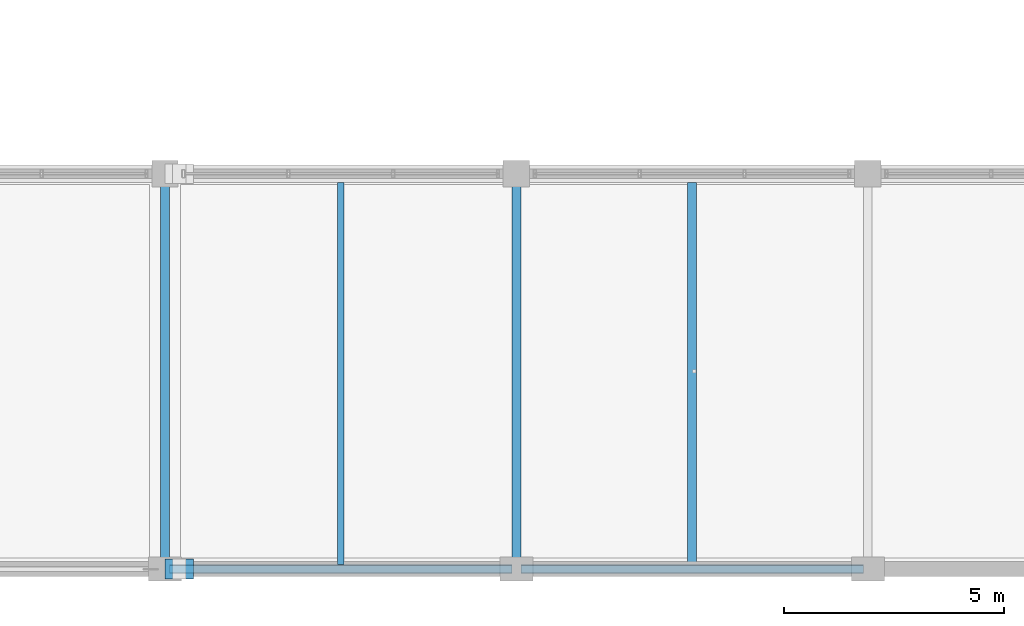
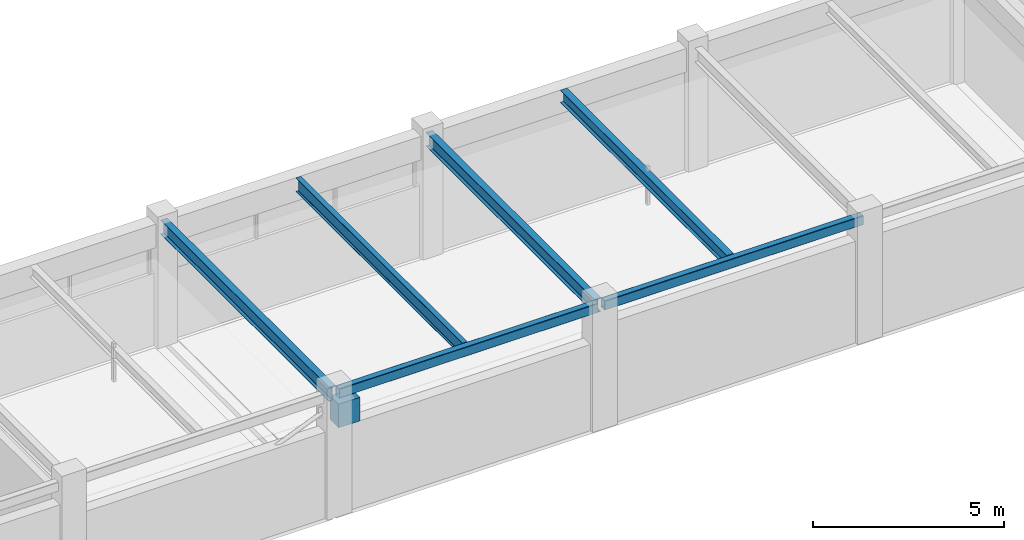
# One storey, part 19 of 126: 7 beams.
"""IFC4 building model written with IfcOpenShell, lengths in metres."""

from ifc_helpers import new_model, si_unit, direction, frame, origin, origin_2d, place, context, subcontext, project, spatial, rectangle, hollow_rectangle, i_section, extrude, material, material_profile, profile_set, type_object, element, save


model = new_model("IFC4")

# Units and contexts
model_context = context("Model", 3, precision=1e-05, world=origin(), true_north=direction((0.0, 1.0)))
body_context = subcontext(model_context, "Body", "Model", "MODEL_VIEW")
ifc_project = project(units=[si_unit("LENGTHUNIT", "METRE"), si_unit("AREAUNIT", "SQUARE_METRE"), si_unit("VOLUMEUNIT", "CUBIC_METRE"), si_unit("PLANEANGLEUNIT", "RADIAN"), si_unit("MASSUNIT", "GRAM", prefix="KILO")], contexts=[model_context])

# Site, building, storey
site_placement = place(None, origin())
site = spatial("IfcSite", under=ifc_project, at=site_placement, CompositionType="ELEMENT")
building_placement = place(site_placement, origin())
building = spatial("IfcBuilding", under=site, at=building_placement, Name="Varnabhumi Central Station", CompositionType="ELEMENT")
storey_placement = place(building_placement, frame((0.0, 0.0, 16.199951171875)))
storey = spatial("IfcBuildingStorey", under=building, at=storey_placement, Name="L03", CompositionType="ELEMENT", Elevation=16.199951171875)

# Beams
ifc_material_1 = material(Name="Structural steel E350", Category="steel")
ifc_material_profile_1 = material_profile(ifc_material_1, hollow_rectangle(XDim=0.199951171875, YDim=0.300048828125, WallThickness=0.011962890625, InnerFilletRadius=0.011962890625, OuterFilletRadius=0.02392578125, at=origin_2d()), Name="Structural steel E350", Category="steel")
ifc_profile_set_1 = profile_set([ifc_material_profile_1], Name="Structural steel E350")
beam_type_1 = type_object("IfcBeamType", Name="BM-EDGE-RHS300", PredefinedType="SPANDREL", material=ifc_profile_set_1)
for number, where, z_axis, x_axis, name in (
    (1, (120.10009765625, 0.0, 3.77001953125), (1.0, 0.0, 0.0), (0.0, 1.0, 0.0), "Beam L03-A:16-17"),
    (2, (128.10009765625, 0.0, 3.77001953125), (1.0, 0.0, 0.0), (0.0, 1.0, 0.0), "Beam L03-A:17-18"),
):
    element("IfcBeam", number, at=place(storey_placement, frame(where, z_axis=z_axis, x_axis=x_axis)), inside=storey, type_object=beam_type_1, Name=name, PredefinedType="SPANDREL", context=body_context, shape_type="SweptSolid", body=[
        extrude(hollow_rectangle(XDim=0.199951171875, YDim=0.300048828125, WallThickness=0.011962890625, InnerFilletRadius=0.011962890625, OuterFilletRadius=0.02392578125, at=origin_2d()), origin(), (0.0, 0.0, 1.0), 7.7998046875),
    ])
ifc_material_profile_2 = material_profile(ifc_material_1, i_section(OverallWidth=0.14990234375, OverallDepth=0.449951171875, WebThickness=0.009521484375, FlangeThickness=0.017333984375, FilletRadius=0.014892578125, at=origin_2d()), Name="Structural steel E350", Category="steel")
ifc_profile_set_2 = profile_set([ifc_material_profile_2], Name="Structural steel E350")
beam_type_2 = type_object("IfcBeamType", Name="BM-JST-ISMB450", PredefinedType="JOIST", material=ifc_profile_set_2)
beam_1_placement = place(storey_placement, frame((124.0, 0.10009765625, 3.695068359375), z_axis=(0.0, 1.0, 0.0), x_axis=(-1.0, 0.0, 0.0)))
element("IfcBeam", 3, at=beam_1_placement, inside=storey, type_object=beam_type_2, Name="Secondary Joist L03-16/17:A-B", PredefinedType="JOIST", context=body_context, shape_type="SweptSolid", body=[
    extrude(i_section(OverallWidth=0.14990234375, OverallDepth=0.449951171875, WebThickness=0.009521484375, FlangeThickness=0.017333984375, FilletRadius=0.014892578125, at=origin_2d()), origin(), (0.0, 0.0, 1.0), 8.699951171875),
])
ifc_material_2 = material(Name="Concrete M40", Category="concrete")
ifc_material_profile_3 = material_profile(ifc_material_2, rectangle(XDim=0.449951171875, YDim=0.75, at=origin_2d()), Name="Concrete M40", Category="concrete")
ifc_profile_set_3 = profile_set([ifc_material_profile_3], Name="Concrete M40")
beam_type_3 = type_object("IfcBeamType", Name="BM-RC-450x750", PredefinedType="BEAM", material=ifc_profile_set_3)
beam_2_placement = place(storey_placement, frame((120.0, 0.0, 3.1650390625), z_axis=(1.0, 0.0, 0.0), x_axis=(0.0, 1.0, 0.0)))
element("IfcBeam", 4, at=beam_2_placement, inside=storey, type_object=beam_type_3, Name="Movement Joint 650mm Corbel Seat L03-A-16", PredefinedType="BEAM", context=body_context, shape_type="SweptSolid", body=[
    extrude(rectangle(XDim=0.449951171875, YDim=0.75, at=origin_2d()), origin(), (0.0, 0.0, 1.0), 0.64990234375),
])
ifc_material_profile_4 = material_profile(ifc_material_1, i_section(OverallWidth=0.199951171875, OverallDepth=0.39990234375, WebThickness=0.008544921875, FlangeThickness=0.012939453125, FilletRadius=0.012939453125, at=origin_2d()), Name="Structural steel E350", Category="steel")
ifc_profile_set_4 = profile_set([ifc_material_profile_4], Name="Structural steel E350")
beam_type_4 = type_object("IfcBeamType", Name="BM-SEC-ISWB400", PredefinedType="JOIST", material=ifc_profile_set_4)
beam_3_placement = place(storey_placement, frame((132.0, 0.10009765625, 3.719970703125), z_axis=(0.0, 1.0, 0.0), x_axis=(-1.0, 0.0, 0.0)))
element("IfcBeam", 5, at=beam_3_placement, inside=storey, type_object=beam_type_4, Name="Secondary Joist L03-17/18:A-B", PredefinedType="JOIST", context=body_context, shape_type="SweptSolid", body=[
    extrude(i_section(OverallWidth=0.199951171875, OverallDepth=0.39990234375, WebThickness=0.008544921875, FlangeThickness=0.012939453125, FilletRadius=0.012939453125, at=origin_2d()), origin(), (0.0, 0.0, 1.0), 8.699951171875),
])
ifc_material_profile_5 = material_profile(ifc_material_1, i_section(OverallWidth=0.199951171875, OverallDepth=0.449951171875, WebThickness=0.00927734375, FlangeThickness=0.015380859375, FilletRadius=0.013916015625, at=origin_2d()), Name="Structural steel E350", Category="steel")
ifc_profile_set_5 = profile_set([ifc_material_profile_5], Name="Structural steel E350")
beam_type_5 = type_object("IfcBeamType", Name="BM-STL-ISWB450", PredefinedType="BEAM", material=ifc_profile_set_5)
for number, where, z_axis, x_axis, name in (
    (6, (120.0, 0.10009765625, 3.695068359375), (0.0, 1.0, 0.0), (-1.0, 0.0, 0.0), "Beam L03-16:A-B"),
    (7, (128.0, 0.10009765625, 3.695068359375), (0.0, 1.0, 0.0), (-1.0, 0.0, 0.0), "Beam L03-17:A-B"),
):
    element("IfcBeam", number, at=place(storey_placement, frame(where, z_axis=z_axis, x_axis=x_axis)), inside=storey, type_object=beam_type_5, Name=name, PredefinedType="BEAM", context=body_context, shape_type="SweptSolid", body=[
        extrude(i_section(OverallWidth=0.199951171875, OverallDepth=0.449951171875, WebThickness=0.00927734375, FlangeThickness=0.015380859375, FilletRadius=0.013916015625, at=origin_2d()), origin(), (0.0, 0.0, 1.0), 8.7998046875),
    ])

save(model, "model.ifc")
